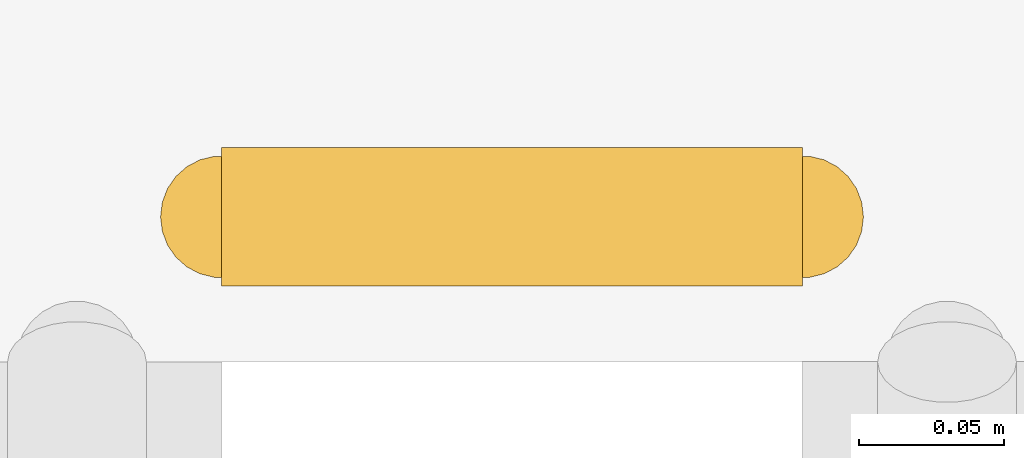
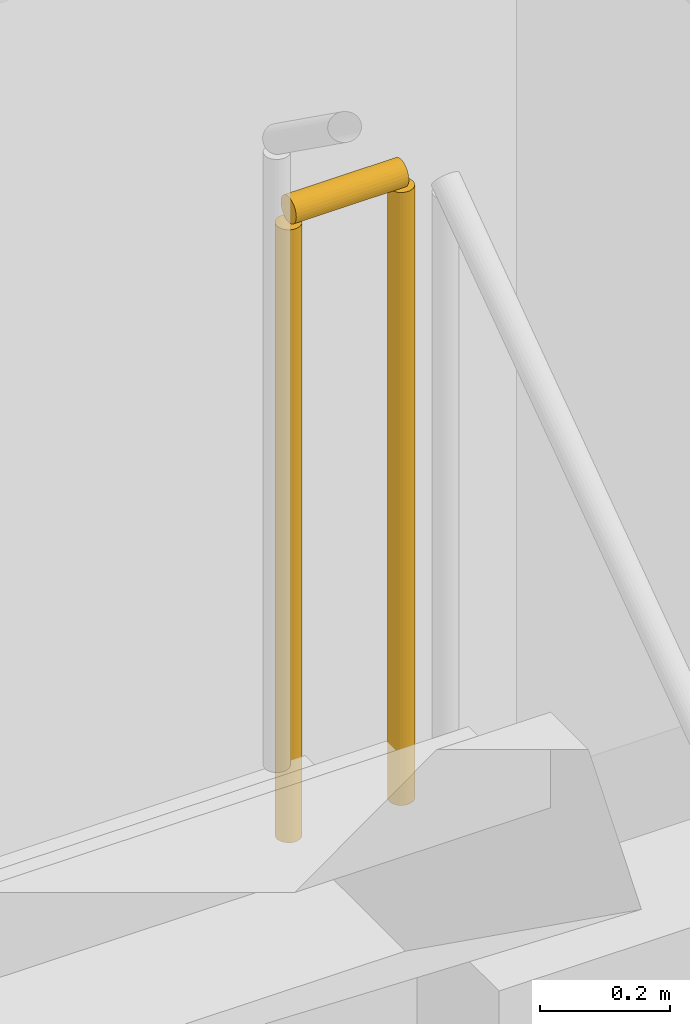
# One storey, part 30 of 32: 1 railing.
"""IFC4 building model written with IfcOpenShell, lengths in metres."""

from ifc_helpers import new_model, si_unit, direction, frame, origin, origin_2d, place, context, subcontext, project, spatial, circle, extrude, material, layer, layer_set, type_object, element, save


model = new_model("IFC4")

# Units and contexts
model_context = context("Model", 3, precision=1e-05, world=origin(), true_north=direction((0.0, 1.0)))
body_context = subcontext(model_context, "Body", "Model", "MODEL_VIEW")
ifc_project = project(units=[si_unit("LENGTHUNIT", "METRE"), si_unit("AREAUNIT", "SQUARE_METRE"), si_unit("VOLUMEUNIT", "CUBIC_METRE"), si_unit("PLANEANGLEUNIT", "RADIAN"), si_unit("MASSUNIT", "GRAM", prefix="KILO")], contexts=[model_context])

# Site, building, storey
site_placement = place(None, origin())
site = spatial("IfcSite", under=ifc_project, at=site_placement, CompositionType="ELEMENT")
building_placement = place(site_placement, origin())
building = spatial("IfcBuilding", under=site, at=building_placement, Name="Noeulbin Bourse Tower", CompositionType="ELEMENT")
storey_placement = place(building_placement, frame((0.0, 0.0, 5.800048828125)))
storey = spatial("IfcBuildingStorey", under=building, at=storey_placement, Name="L02", CompositionType="ELEMENT", Elevation=5.800048828125)

# Railing
ifc_material = material(Name="Painted Tubular Steel S355", Category="steel")
ifc_layer = layer(ifc_material, 0.048095703125)
ifc_layer_set = layer_set([ifc_layer], Name="Painted Tubular Steel S355")
railing_type = type_object("IfcRailingType", Name="RLG-STR-GRD", PredefinedType="GUARDRAIL", material=ifc_layer_set)
railing_placement = place(storey_placement, frame((40.830078125, 35.387939453125, 2.699951171875)))
element("IfcRailing", 1, at=railing_placement, inside=storey, type_object=railing_type, Name="L02 ST-2 stair guard 2", PredefinedType="GUARDRAIL", context=body_context, shape_type="SweptSolid", body=[
    extrude(circle(Radius=0.02392578125, at=origin_2d()), frame((0.0, 0.0, 1.17578125), z_axis=(-1.0, 0.0, 0.0), x_axis=(0.0, -1.0, 0.0)), (0.0, 0.0, 1.0), 0.2001953125),
    extrude(circle(Radius=0.02099609375, at=origin_2d()), origin(), (0.0, 0.0, 1.0), 1.15185546875),
    extrude(circle(Radius=0.02099609375, at=origin_2d()), frame((-0.2001953125, 0.0, 0.0)), (0.0, 0.0, 1.0), 1.15185546875),
])

save(model, "model.ifc")
